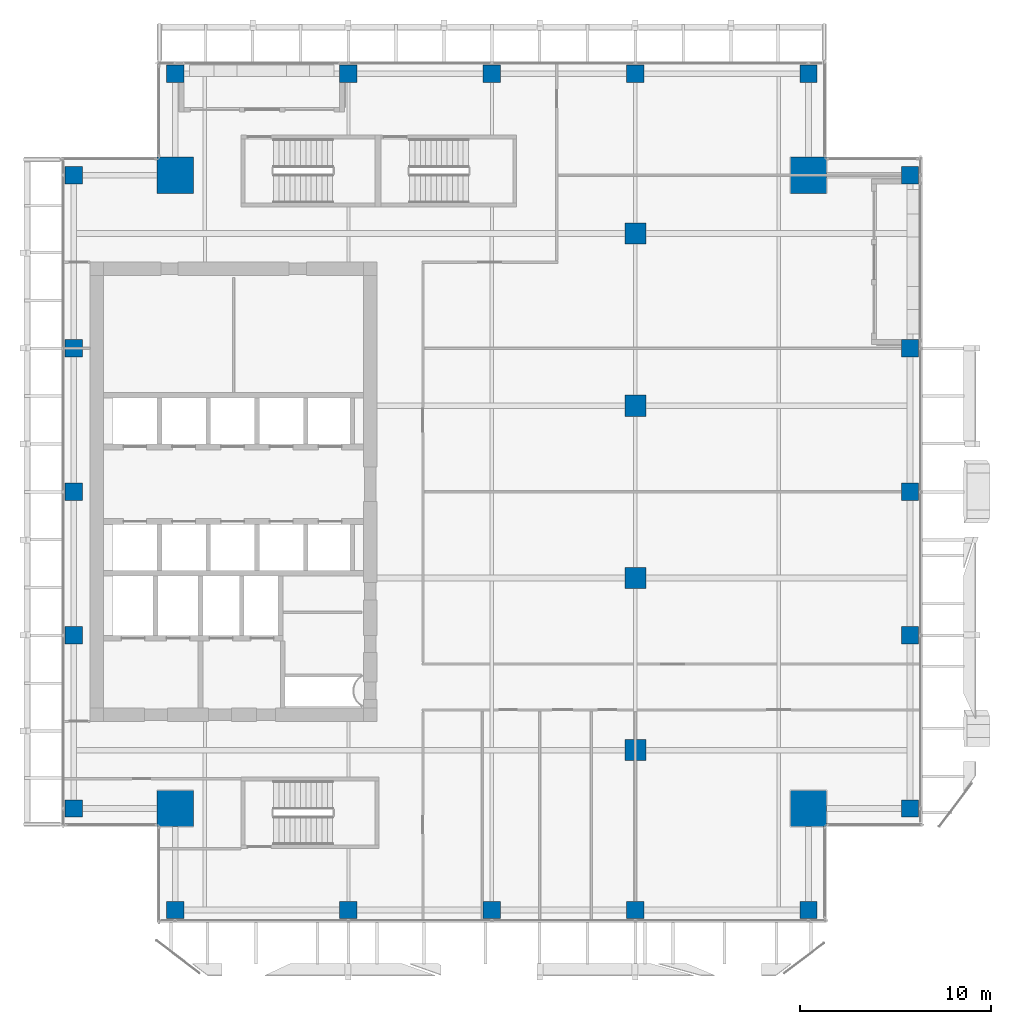
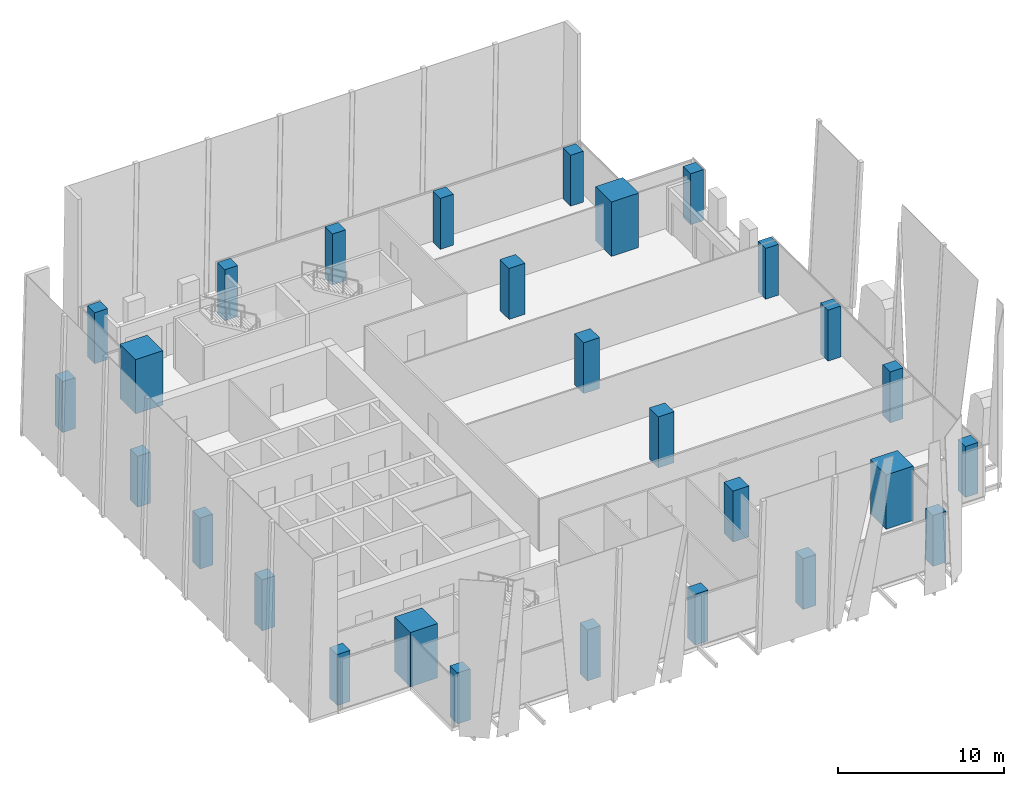
# One storey, part 1 of 35: 28 columns.
"""IFC4 building model written with IfcOpenShell, lengths in metres."""

from ifc_helpers import new_model, si_unit, direction, frame, origin, origin_2d, place, context, subcontext, project, spatial, rectangle, extrude, source, transform, mapped, material, material_profile, profile_set, type_object, element, save


model = new_model("IFC4")

# Units and contexts
model_context = context("Model", 3, precision=1e-05, world=origin(), true_north=direction((0.0, 1.0)))
body_context = subcontext(model_context, "Body", "Model", "MODEL_VIEW")
ifc_project = project(units=[si_unit("LENGTHUNIT", "METRE"), si_unit("AREAUNIT", "SQUARE_METRE"), si_unit("VOLUMEUNIT", "CUBIC_METRE"), si_unit("PLANEANGLEUNIT", "RADIAN"), si_unit("MASSUNIT", "GRAM", prefix="KILO")], contexts=[model_context])

# Site, building, storey
site_placement = place(None, origin())
site = spatial("IfcSite", under=ifc_project, at=site_placement, CompositionType="ELEMENT")
building_placement = place(site_placement, origin())
building = spatial("IfcBuilding", under=site, at=building_placement, Name="Khomas Fold Tower", CompositionType="ELEMENT")
storey_placement = place(building_placement, frame((0.0, 0.0, 246.199951171875)))
storey = spatial("IfcBuildingStorey", under=building, at=storey_placement, Name="L55", CompositionType="ELEMENT", Elevation=246.199951171875)

# Columns
ifc_material_1 = material(Name="Concrete C60/75", Category="concrete")
ifc_material_profile_1 = material_profile(ifc_material_1, rectangle(XDim=1.89990234375, YDim=1.89990234375, at=origin_2d()), Name="RC 1900x1900")
ifc_profile_set_1 = profile_set([ifc_material_profile_1], Name="Concrete C60/75")
column_type_1 = type_object("IfcColumnType", Name="RC 1900x1900 column", PredefinedType="COLUMN", material=ifc_profile_set_1)
shared_shape_1 = source(origin(), body_context, "Body", "SweptSolid", [
    extrude(rectangle(XDim=1.89990234375, YDim=1.89990234375, at=origin_2d()), origin(), (0.0, 0.0, 1.0), 4.0),
])
for number, where, z_axis, x_axis, name in (
    (1, (43.550048828125, 43.550048828125, 0.0), (0.0, 0.0, 1.0), (1.0, 0.0, 0.0), "CM-NE"),
    (2, (10.449951171875, 43.550048828125, 0.0), (0.0, 0.0, 1.0), (1.0, 0.0, 0.0), "CM-NW"),
    (3, (43.550048828125, 10.449951171875, 0.0), (0.0, 0.0, 1.0), (1.0, 0.0, 0.0), "CM-SE"),
    (4, (10.449951171875, 10.449951171875, 0.0), (0.0, 0.0, 1.0), (1.0, 0.0, 0.0), "CM-SW"),
):
    element("IfcColumn", number, at=place(storey_placement, frame(where, z_axis=z_axis, x_axis=x_axis)), inside=storey, type_object=column_type_1, Name=name, PredefinedType="COLUMN", context=body_context, shape_type="MappedRepresentation", body=[
        mapped(shared_shape_1, transform((0.0, 0.0, 0.0))),
    ])
ifc_material_2 = material(Name="Concrete C50/60", Category="concrete")
ifc_material_profile_2 = material_profile(ifc_material_2, rectangle(XDim=0.89990234375, YDim=0.89990234375, at=origin_2d()), Name="RC 900x900")
ifc_profile_set_2 = profile_set([ifc_material_profile_2], Name="Concrete C50/60")
column_type_2 = type_object("IfcColumnType", Name="RC 900x900 column", PredefinedType="COLUMN", material=ifc_profile_set_2)
shared_shape_2 = source(origin(), body_context, "Body", "SweptSolid", [
    extrude(rectangle(XDim=0.89990234375, YDim=0.89990234375, at=origin_2d()), origin(), (0.0, 0.0, 1.0), 3.75),
])
for number, where, z_axis, x_axis, name in (
    (5, (10.449951171875, 5.14990234375, 0.0), (0.0, 0.0, 1.0), (1.0, 0.0, 0.0), "C-5-SF4"),
    (6, (19.5, 5.14990234375, 0.0), (0.0, 0.0, 1.0), (1.0, 0.0, 0.0), "C-8-SF4"),
    (7, (27.0, 5.14990234375, 0.0), (0.0, 0.0, 1.0), (1.0, 0.0, 0.0), "C-9-SF4"),
    (8, (34.5, 5.14990234375, 0.0), (0.0, 0.0, 1.0), (1.0, 0.0, 0.0), "C-10-SF4"),
    (9, (43.550048828125, 5.14990234375, 0.0), (0.0, 0.0, 1.0), (1.0, 0.0, 0.0), "C-14-SF4"),
    (10, (48.85009765625, 10.449951171875, 0.0), (0.0, 0.0, 1.0), (1.0, 0.0, 0.0), "C-E4-E"),
    (11, (48.85009765625, 19.5, 0.0), (0.0, 0.0, 1.0), (1.0, 0.0, 0.0), "C-E4-J"),
    (12, (48.85009765625, 27.0, 0.0), (0.0, 0.0, 1.0), (1.0, 0.0, 0.0), "C-E4-L"),
    (13, (48.85009765625, 34.5, 0.0), (0.0, 0.0, 1.0), (1.0, 0.0, 0.0), "C-E4-N"),
    (14, (48.85009765625, 43.550048828125, 0.0), (0.0, 0.0, 1.0), (1.0, 0.0, 0.0), "C-E4-S"),
    (15, (10.449951171875, 48.85009765625, 0.0), (0.0, 0.0, 1.0), (1.0, 0.0, 0.0), "C-5-NF4"),
    (16, (19.5, 48.85009765625, 0.0), (0.0, 0.0, 1.0), (1.0, 0.0, 0.0), "C-8-NF4"),
    (17, (27.0, 48.85009765625, 0.0), (0.0, 0.0, 1.0), (1.0, 0.0, 0.0), "C-9-NF4"),
    (18, (34.5, 48.85009765625, 0.0), (0.0, 0.0, 1.0), (1.0, 0.0, 0.0), "C-10-NF4"),
    (19, (43.550048828125, 48.85009765625, 0.0), (0.0, 0.0, 1.0), (1.0, 0.0, 0.0), "C-14-NF4"),
    (20, (5.14990234375, 10.449951171875, 0.0), (0.0, 0.0, 1.0), (1.0, 0.0, 0.0), "C-W4-E"),
    (21, (5.14990234375, 19.5, 0.0), (0.0, 0.0, 1.0), (1.0, 0.0, 0.0), "C-W4-J"),
    (22, (5.14990234375, 27.0, 0.0), (0.0, 0.0, 1.0), (1.0, 0.0, 0.0), "C-W4-L"),
    (23, (5.14990234375, 34.5, 0.0), (0.0, 0.0, 1.0), (1.0, 0.0, 0.0), "C-W4-N"),
    (24, (5.14990234375, 43.550048828125, 0.0), (0.0, 0.0, 1.0), (1.0, 0.0, 0.0), "C-W4-S"),
):
    element("IfcColumn", number, at=place(storey_placement, frame(where, z_axis=z_axis, x_axis=x_axis)), inside=storey, type_object=column_type_2, Name=name, PredefinedType="COLUMN", context=body_context, shape_type="MappedRepresentation", body=[
        mapped(shared_shape_2, transform((0.0, 0.0, 0.0))),
    ])
ifc_material_3 = material(Name="Concrete C50/60", Category="concrete")
ifc_material_profile_3 = material_profile(ifc_material_3, rectangle(XDim=1.10009765625, YDim=1.10009765625, at=origin_2d()), Name="RC 1100x1100")
ifc_profile_set_3 = profile_set([ifc_material_profile_3], Name="Concrete C50/60")
column_type_3 = type_object("IfcColumnType", Name="RC 1100x1100 column", PredefinedType="COLUMN", material=ifc_profile_set_3)
shared_shape_3 = source(origin(), body_context, "Body", "SweptSolid", [
    extrude(rectangle(XDim=1.10009765625, YDim=1.10009765625, at=origin_2d()), origin(), (0.0, 0.0, 1.0), 3.75),
])
for number, where, z_axis, x_axis, name in (
    (25, (34.5, 13.5, 0.0), (0.0, 0.0, 1.0), (1.0, 0.0, 0.0), "C-10-H"),
    (26, (34.5, 22.5, 0.0), (0.0, 0.0, 1.0), (1.0, 0.0, 0.0), "C-10-K"),
    (27, (34.5, 31.5, 0.0), (0.0, 0.0, 1.0), (1.0, 0.0, 0.0), "C-10-M"),
    (28, (34.5, 40.5, 0.0), (0.0, 0.0, 1.0), (1.0, 0.0, 0.0), "C-10-P"),
):
    element("IfcColumn", number, at=place(storey_placement, frame(where, z_axis=z_axis, x_axis=x_axis)), inside=storey, type_object=column_type_3, Name=name, PredefinedType="COLUMN", context=body_context, shape_type="MappedRepresentation", body=[
        mapped(shared_shape_3, transform((0.0, 0.0, 0.0))),
    ])

save(model, "model.ifc")
